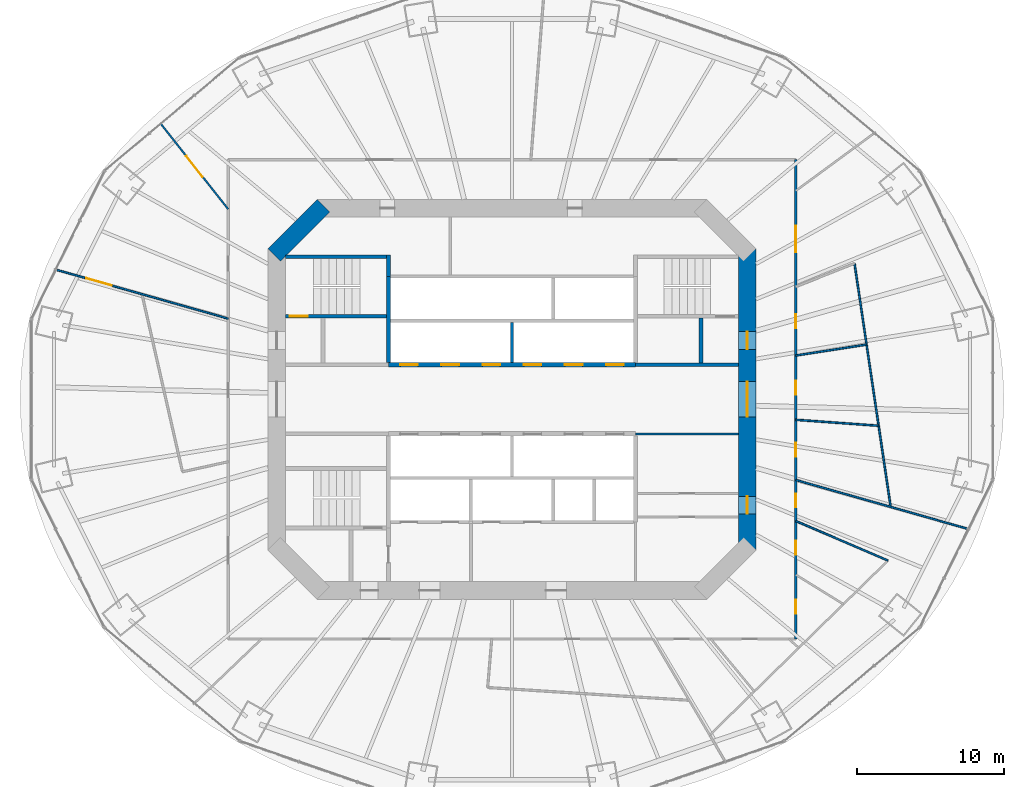
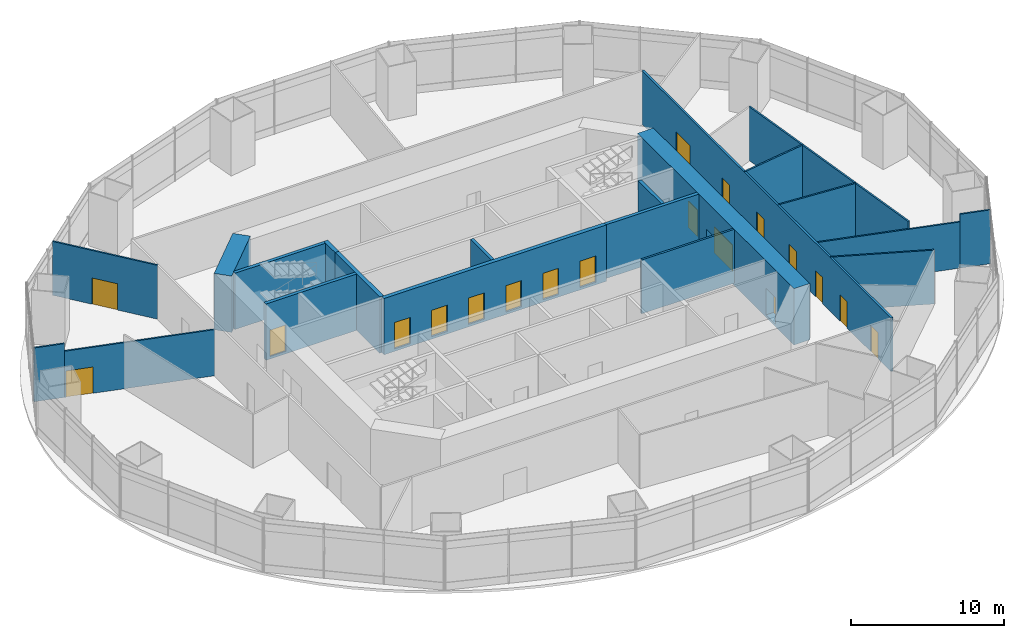
# One storey, part 15 of 17: 21 walls, 19 doors, 19 openings.
"""IFC4 building model written with IfcOpenShell, lengths in metres."""

from ifc_helpers import new_model, si_unit, direction, frame, frame_2d, origin, place, context, subcontext, project, spatial, rectangle, extrude, material, layer, layer_set, type_object, element, fill, save


model = new_model("IFC4")

# Units and contexts
model_context = context("Model", 3, precision=1e-05, world=origin(), true_north=direction((0.0, 1.0)))
body_context = subcontext(model_context, "Body", "Model", "MODEL_VIEW")
ifc_project = project(units=[si_unit("LENGTHUNIT", "METRE"), si_unit("AREAUNIT", "SQUARE_METRE"), si_unit("VOLUMEUNIT", "CUBIC_METRE"), si_unit("PLANEANGLEUNIT", "RADIAN"), si_unit("MASSUNIT", "GRAM", prefix="KILO")], contexts=[model_context])

# Site, building, storey
site_placement = place(None, origin())
site = spatial("IfcSite", under=ifc_project, at=site_placement, CompositionType="ELEMENT")
building_placement = place(site_placement, origin())
building = spatial("IfcBuilding", under=site, at=building_placement, Name="Marenthal Gate Tower", CompositionType="ELEMENT")
storey_placement = place(building_placement, frame((0.0, 0.0, 145.050048828125)))
storey = spatial("IfcBuildingStorey", under=building, at=storey_placement, Name="L31", CompositionType="ELEMENT", Elevation=145.050048828125)

# Wall, openings, doors
ifc_material_1 = material(Name="Concrete 60 MPa", Category="concrete")
ifc_layer_1 = layer(ifc_material_1, 1.199951171875)
ifc_layer_set_1 = layer_set([ifc_layer_1], Name="Core shear wall 1200")
wall_type_1 = type_object("IfcWallType", Name="Core shear wall 1200", PredefinedType="SHEAR", material=ifc_layer_set_1)
wall_1_placement = place(storey_placement, frame((16.0, -10.24853515625, -0.199951171875), z_axis=(0.0, 0.0, 1.0), x_axis=(0.0, 1.0, 0.0)))
wall_1 = element("IfcWall", 1, at=wall_1_placement, inside=storey, type_object=wall_type_1, Name="Core wall 02", PredefinedType="SHEAR", context=body_context, shape_type="SweptSolid", body=[
    extrude(rectangle(XDim=20.4970703125, YDim=1.199951171875, at=frame_2d((10.24853515625, 0.0))), origin(), (0.0, 0.0, 1.0), 4.5),
])
opening_1_placement = place(wall_1_placement, frame((9.048583984375, 0.0, 0.199951171875)))
opening_1 = element("IfcOpeningElement", 2, at=opening_1_placement, cuts=wall_1, Name="Opening D003.02", PredefinedType="OPENING", context=body_context, shape_type="SweptSolid", body=[
    extrude(rectangle(XDim=2.39990234375, YDim=2.10009765625, at=frame_2d((1.199951171875, 1.050048828125))), frame((0.0, 0.60986328125, 0.0), z_axis=(0.0, -1.0, 0.0), x_axis=(1.0, 0.0, 0.0)), (0.0, 0.0, 1.0), 1.219970703125),
])
opening_2_placement = place(wall_1_placement, frame((13.6484375, 0.0, 0.199951171875)))
opening_2 = element("IfcOpeningElement", 3, at=opening_2_placement, cuts=wall_1, Name="Opening D001.05", PredefinedType="OPENING", context=body_context, shape_type="SweptSolid", body=[
    extrude(rectangle(XDim=1.199951171875, YDim=2.10009765625, at=frame_2d((0.60009765625, 1.050048828125))), frame((0.0, 0.60986328125, 0.0), z_axis=(0.0, -1.0, 0.0), x_axis=(1.0, 0.0, 0.0)), (0.0, 0.0, 1.0), 1.219970703125),
])
opening_3_placement = place(wall_1_placement, frame((2.448486328125, 0.0, 0.199951171875)))
opening_3 = element("IfcOpeningElement", 4, at=opening_3_placement, cuts=wall_1, Name="Opening D006.01", PredefinedType="OPENING", context=body_context, shape_type="SweptSolid", body=[
    extrude(rectangle(XDim=1.199951171875, YDim=2.10009765625, at=frame_2d((0.60009765625, 1.050048828125))), frame((0.0, 0.60986328125, 0.0), z_axis=(0.0, -1.0, 0.0), x_axis=(1.0, 0.0, 0.0)), (0.0, 0.0, 1.0), 1.219970703125),
])
ifc_material_2 = material(Name="Steel fire door", Category="steel")
door_type_1 = type_object("IfcDoorType", Name="Double fire door FD 45 2400 x 2100", OperationType="DOUBLE_DOOR_SINGLE_SWING", PredefinedType="DOOR", material=ifc_material_2)
door_1_placement = place(opening_1_placement, origin())
door_1 = element("IfcDoor", 5, at=door_1_placement, inside=storey, type_object=door_type_1, Name="Door D003.02", OperationType="DOUBLE_DOOR_SINGLE_SWING", OverallHeight=2.10009765625, OverallWidth=2.39990234375, PredefinedType="DOOR", context=body_context, shape_type="SweptSolid", body=[
    extrude(rectangle(XDim=2.39990234375, YDim=2.10009765625, at=frame_2d((1.199951171875, 1.050048828125))), frame((0.0, 0.02490234375, 0.0), z_axis=(0.0, -1.0, 0.0), x_axis=(1.0, 0.0, 0.0)), (0.0, 0.0, 1.0), 0.050048828125),
])
fill(opening_1, door_1)
ifc_material_3 = material(Name="Steel fire door", Category="steel")
door_type_2 = type_object("IfcDoorType", Name="Fire door FD 45 1200 x 2100", OperationType="NOTDEFINED", PredefinedType="DOOR", material=ifc_material_3)
door_2_placement = place(opening_3_placement, origin())
door_2 = element("IfcDoor", 6, at=door_2_placement, inside=storey, type_object=door_type_2, Name="Door D006.01", OperationType="SINGLE_SWING_RIGHT", OverallHeight=2.10009765625, OverallWidth=1.199951171875, PredefinedType="DOOR", context=body_context, shape_type="SweptSolid", body=[
    extrude(rectangle(XDim=1.199951171875, YDim=2.10009765625, at=frame_2d((0.60009765625, 1.050048828125))), frame((0.0, 0.02490234375, 0.0), z_axis=(0.0, -1.0, 0.0), x_axis=(1.0, 0.0, 0.0)), (0.0, 0.0, 1.0), 0.050048828125),
])
fill(opening_3, door_2)
ifc_material_4 = material(Name="Steel fire door", Category="steel")
door_type_3 = type_object("IfcDoorType", Name="Fire door FD 90 1200 x 2100", OperationType="NOTDEFINED", PredefinedType="DOOR", material=ifc_material_4)
door_3_placement = place(opening_2_placement, origin())
door_3 = element("IfcDoor", 7, at=door_3_placement, inside=storey, type_object=door_type_3, Name="Door D001.05", OperationType="SINGLE_SWING_RIGHT", OverallHeight=2.10009765625, OverallWidth=1.199951171875, PredefinedType="DOOR", context=body_context, shape_type="SweptSolid", body=[
    extrude(rectangle(XDim=1.199951171875, YDim=2.10009765625, at=frame_2d((0.60009765625, 1.050048828125))), frame((0.0, 0.02490234375, 0.0), z_axis=(0.0, -1.0, 0.0), x_axis=(1.0, 0.0, 0.0)), (0.0, 0.0, 1.0), 0.050048828125),
])
fill(opening_2, door_3)

# Wall
wall_2_placement = place(storey_placement, frame((-12.82421875, 13.17578125, -0.199951171875), z_axis=(0.0, 0.0, 1.0), x_axis=(-0.707106781187, -0.707106781187, 0.0)))
element("IfcWall", 8, at=wall_2_placement, inside=storey, type_object=wall_type_1, Name="Core wall 05", PredefinedType="SHEAR", context=body_context, shape_type="SweptSolid", body=[
    extrude(rectangle(XDim=4.73974609375, YDim=1.199951171875, at=frame_2d((2.369873046875, 0.0))), origin(), (0.0, 0.0, 1.0), 4.5),
])

# Wall, openings, doors
ifc_material_5 = material(Name="Concrete 50 MPa", Category="concrete")
ifc_layer_2 = layer(ifc_material_5, 0.300048828125)
ifc_layer_set_2 = layer_set([ifc_layer_2], Name="Hoistway shear wall 300")
wall_type_2 = type_object("IfcWallType", Name="Hoistway shear wall 300", PredefinedType="SHEAR", material=ifc_layer_set_2)
wall_3_placement = place(storey_placement, frame((-8.39990234375, 2.35009765625, -0.199951171875), z_axis=(0.0, 0.0, 1.0), x_axis=(1.0, 0.0, 0.0)))
wall_3 = element("IfcWall", 9, at=wall_3_placement, inside=storey, type_object=wall_type_2, Name="Hoistway wall 20", PredefinedType="SHEAR", context=body_context, shape_type="SweptSolid", body=[
    extrude(rectangle(XDim=16.7998046875, YDim=0.300048828125, at=frame_2d((8.39990234375, 0.0))), origin(), (0.0, 0.0, 1.0), 4.5),
])
opening_4_placement = place(wall_3_placement, frame((0.800048828125, 0.0, 0.199951171875)))
opening_4 = element("IfcOpeningElement", 10, at=opening_4_placement, cuts=wall_3, Name="Opening LD-LP1", PredefinedType="OPENING", context=body_context, shape_type="SweptSolid", body=[
    extrude(rectangle(XDim=1.199951171875, YDim=2.10009765625, at=frame_2d((0.60009765625, 1.050048828125))), frame((0.0, 0.16015625, 0.0), z_axis=(0.0, -1.0, 0.0), x_axis=(1.0, 0.0, 0.0)), (0.0, 0.0, 1.0), 0.320068359375),
])
opening_5_placement = place(wall_3_placement, frame((3.60009765625, 0.0, 0.199951171875)))
opening_5 = element("IfcOpeningElement", 11, at=opening_5_placement, cuts=wall_3, Name="Opening LD-LP2", PredefinedType="OPENING", context=body_context, shape_type="SweptSolid", body=[
    extrude(rectangle(XDim=1.199951171875, YDim=2.10009765625, at=frame_2d((0.60009765625, 1.050048828125))), frame((0.0, 0.16015625, 0.0), z_axis=(0.0, -1.0, 0.0), x_axis=(1.0, 0.0, 0.0)), (0.0, 0.0, 1.0), 0.320068359375),
])
opening_6_placement = place(wall_3_placement, frame((6.39990234375, 0.0, 0.199951171875)))
opening_6 = element("IfcOpeningElement", 12, at=opening_6_placement, cuts=wall_3, Name="Opening LD-LP3", PredefinedType="OPENING", context=body_context, shape_type="SweptSolid", body=[
    extrude(rectangle(XDim=1.199951171875, YDim=2.10009765625, at=frame_2d((0.60009765625, 1.050048828125))), frame((0.0, 0.16015625, 0.0), z_axis=(0.0, -1.0, 0.0), x_axis=(1.0, 0.0, 0.0)), (0.0, 0.0, 1.0), 0.320068359375),
])
opening_7_placement = place(wall_3_placement, frame((9.199951171875, 0.0, 0.199951171875)))
opening_7 = element("IfcOpeningElement", 13, at=opening_7_placement, cuts=wall_3, Name="Opening LD-LP4", PredefinedType="OPENING", context=body_context, shape_type="SweptSolid", body=[
    extrude(rectangle(XDim=1.199951171875, YDim=2.10009765625, at=frame_2d((0.60009765625, 1.050048828125))), frame((0.0, 0.16015625, 0.0), z_axis=(0.0, -1.0, 0.0), x_axis=(1.0, 0.0, 0.0)), (0.0, 0.0, 1.0), 0.320068359375),
])
opening_8_placement = place(wall_3_placement, frame((12.0, 0.0, 0.199951171875)))
opening_8 = element("IfcOpeningElement", 14, at=opening_8_placement, cuts=wall_3, Name="Opening LD-LP5", PredefinedType="OPENING", context=body_context, shape_type="SweptSolid", body=[
    extrude(rectangle(XDim=1.199951171875, YDim=2.10009765625, at=frame_2d((0.60009765625, 1.050048828125))), frame((0.0, 0.16015625, 0.0), z_axis=(0.0, -1.0, 0.0), x_axis=(1.0, 0.0, 0.0)), (0.0, 0.0, 1.0), 0.320068359375),
])
opening_9_placement = place(wall_3_placement, frame((14.800048828125, 0.0, 0.199951171875)))
opening_9 = element("IfcOpeningElement", 15, at=opening_9_placement, cuts=wall_3, Name="Opening LD-LP6", PredefinedType="OPENING", context=body_context, shape_type="SweptSolid", body=[
    extrude(rectangle(XDim=1.199951171875, YDim=2.10009765625, at=frame_2d((0.60009765625, 1.050048828125))), frame((0.0, 0.16015625, 0.0), z_axis=(0.0, -1.0, 0.0), x_axis=(1.0, 0.0, 0.0)), (0.0, 0.0, 1.0), 0.320068359375),
])
ifc_material_6 = material(Name="Stainless steel sliding door", Category="steel")
door_type_4 = type_object("IfcDoorType", Name="Lift landing door FD 90 1200 x 2100", OperationType="DOUBLE_DOOR_SLIDING", PredefinedType="DOOR", material=ifc_material_6)
door_4_placement = place(opening_4_placement, origin())
door_4 = element("IfcDoor", 16, at=door_4_placement, inside=storey, type_object=door_type_4, Name="Lift landing door LP1", OperationType="DOUBLE_DOOR_SLIDING", OverallHeight=2.10009765625, OverallWidth=1.199951171875, PredefinedType="DOOR", context=body_context, shape_type="SweptSolid", body=[
    extrude(rectangle(XDim=1.199951171875, YDim=2.10009765625, at=frame_2d((0.60009765625, 1.050048828125))), frame((0.0, 0.02490234375, 0.0), z_axis=(0.0, -1.0, 0.0), x_axis=(1.0, 0.0, 0.0)), (0.0, 0.0, 1.0), 0.050048828125),
])
fill(opening_4, door_4)
door_5_placement = place(opening_5_placement, origin())
door_5 = element("IfcDoor", 17, at=door_5_placement, inside=storey, type_object=door_type_4, Name="Lift landing door LP2", OperationType="DOUBLE_DOOR_SLIDING", OverallHeight=2.10009765625, OverallWidth=1.199951171875, PredefinedType="DOOR", context=body_context, shape_type="SweptSolid", body=[
    extrude(rectangle(XDim=1.199951171875, YDim=2.10009765625, at=frame_2d((0.60009765625, 1.050048828125))), frame((0.0, 0.02490234375, 0.0), z_axis=(0.0, -1.0, 0.0), x_axis=(1.0, 0.0, 0.0)), (0.0, 0.0, 1.0), 0.050048828125),
])
fill(opening_5, door_5)
door_6_placement = place(opening_6_placement, origin())
door_6 = element("IfcDoor", 18, at=door_6_placement, inside=storey, type_object=door_type_4, Name="Lift landing door LP3", OperationType="DOUBLE_DOOR_SLIDING", OverallHeight=2.10009765625, OverallWidth=1.199951171875, PredefinedType="DOOR", context=body_context, shape_type="SweptSolid", body=[
    extrude(rectangle(XDim=1.199951171875, YDim=2.10009765625, at=frame_2d((0.60009765625, 1.050048828125))), frame((0.0, 0.02490234375, 0.0), z_axis=(0.0, -1.0, 0.0), x_axis=(1.0, 0.0, 0.0)), (0.0, 0.0, 1.0), 0.050048828125),
])
fill(opening_6, door_6)
door_7_placement = place(opening_7_placement, origin())
door_7 = element("IfcDoor", 19, at=door_7_placement, inside=storey, type_object=door_type_4, Name="Lift landing door LP4", OperationType="DOUBLE_DOOR_SLIDING", OverallHeight=2.10009765625, OverallWidth=1.199951171875, PredefinedType="DOOR", context=body_context, shape_type="SweptSolid", body=[
    extrude(rectangle(XDim=1.199951171875, YDim=2.10009765625, at=frame_2d((0.60009765625, 1.050048828125))), frame((0.0, 0.02490234375, 0.0), z_axis=(0.0, -1.0, 0.0), x_axis=(1.0, 0.0, 0.0)), (0.0, 0.0, 1.0), 0.050048828125),
])
fill(opening_7, door_7)
door_8_placement = place(opening_8_placement, origin())
door_8 = element("IfcDoor", 20, at=door_8_placement, inside=storey, type_object=door_type_4, Name="Lift landing door LP5", OperationType="DOUBLE_DOOR_SLIDING", OverallHeight=2.10009765625, OverallWidth=1.199951171875, PredefinedType="DOOR", context=body_context, shape_type="SweptSolid", body=[
    extrude(rectangle(XDim=1.199951171875, YDim=2.10009765625, at=frame_2d((0.60009765625, 1.050048828125))), frame((0.0, 0.02490234375, 0.0), z_axis=(0.0, -1.0, 0.0), x_axis=(1.0, 0.0, 0.0)), (0.0, 0.0, 1.0), 0.050048828125),
])
fill(opening_8, door_8)
door_9_placement = place(opening_9_placement, origin())
door_9 = element("IfcDoor", 21, at=door_9_placement, inside=storey, type_object=door_type_4, Name="Lift landing door LP6", OperationType="DOUBLE_DOOR_SLIDING", OverallHeight=2.10009765625, OverallWidth=1.199951171875, PredefinedType="DOOR", context=body_context, shape_type="SweptSolid", body=[
    extrude(rectangle(XDim=1.199951171875, YDim=2.10009765625, at=frame_2d((0.60009765625, 1.050048828125))), frame((0.0, 0.02490234375, 0.0), z_axis=(0.0, -1.0, 0.0), x_axis=(1.0, 0.0, 0.0)), (0.0, 0.0, 1.0), 0.050048828125),
])
fill(opening_9, door_9)

# Walls
wall_4_placement = place(storey_placement, frame((-8.39990234375, 2.5, -0.199951171875), z_axis=(0.0, 0.0, 1.0), x_axis=(0.0, 1.0, 0.0)))
element("IfcWall", 22, at=wall_4_placement, inside=storey, type_object=wall_type_2, Name="Hoistway wall 32", PredefinedType="SHEAR", context=body_context, shape_type="SweptSolid", body=[
    extrude(rectangle(XDim=5.85009765625, YDim=0.300048828125, at=frame_2d((2.925048828125, 0.0))), origin(), (0.0, 0.0, 1.0), 4.5),
])
ifc_material_7 = material(Name="Concrete 40 MPa", Category="concrete")
ifc_layer_3 = layer(ifc_material_7, 0.219970703125)
ifc_layer_set_3 = layer_set([ifc_layer_3], Name="Hoistway wall 220")
wall_type_3 = type_object("IfcWallType", Name="Hoistway wall 220", PredefinedType="STANDARD", material=ifc_layer_set_3)
wall_5_placement = place(storey_placement, frame((0.0, 2.5, 0.0), z_axis=(0.0, 0.0, 1.0), x_axis=(0.0, 1.0, 0.0)))
element("IfcWall", 23, at=wall_5_placement, inside=storey, type_object=wall_type_3, Name="Hoistway wall 38", PredefinedType="STANDARD", context=body_context, shape_type="SweptSolid", body=[
    extrude(rectangle(XDim=2.739990234375, YDim=0.219970703125, at=frame_2d((1.3701171875, 0.0))), origin(), (0.0, 0.0, 1.0), 4.300048828125),
])

# Wall, opening, door
ifc_material_8 = material(Name="Gypsum board on steel studs", Category="steel")
ifc_layer_4 = layer(ifc_material_8, 0.1201171875)
ifc_layer_set_4 = layer_set([ifc_layer_4], Name="Partition 120")
wall_type_4 = type_object("IfcWallType", Name="Partition 120", PredefinedType="PARTITIONING", material=ifc_layer_set_4)
wall_6_placement = place(storey_placement, frame((-19.300048828125, 5.486083984375, 0.0), z_axis=(0.0, 0.0, 1.0), x_axis=(-0.961894512002, 0.273420825432, 0.0)))
wall_6 = element("IfcWall", 24, at=wall_6_placement, inside=storey, type_object=wall_type_4, Name="Partition wall 50", PredefinedType="PARTITIONING", context=body_context, shape_type="SweptSolid", body=[
    extrude(rectangle(XDim=10.144287109375, YDim=0.1201171875, at=frame_2d((5.072265625, 0.0))), origin(), (0.0, 0.0, 1.0), 3.68798828125),
])
opening_10_placement = place(wall_6_placement, frame((8.236083984375, 0.0, 0.0)))
opening_10 = element("IfcOpeningElement", 25, at=opening_10_placement, cuts=wall_6, Name="Opening D014.07", PredefinedType="OPENING", context=body_context, shape_type="SweptSolid", body=[
    extrude(rectangle(XDim=1.800048828125, YDim=2.10009765625, at=frame_2d((0.89990234375, 1.050048828125))), frame((0.0, 0.070068359375, 0.0), z_axis=(0.0, -1.0, 0.0), x_axis=(1.0, 0.0, 0.0)), (0.0, 0.0, 1.0), 0.14013671875),
])
ifc_material_9 = material(Name="Timber door", Category="wood")
door_type_5 = type_object("IfcDoorType", Name="Double door 1800 x 2100", OperationType="DOUBLE_DOOR_SINGLE_SWING", PredefinedType="DOOR", material=ifc_material_9)
door_10_placement = place(opening_10_placement, origin())
door_10 = element("IfcDoor", 26, at=door_10_placement, inside=storey, type_object=door_type_5, Name="Door D014.07", OperationType="DOUBLE_DOOR_SINGLE_SWING", OverallHeight=2.10009765625, OverallWidth=1.800048828125, PredefinedType="DOOR", context=body_context, shape_type="SweptSolid", body=[
    extrude(rectangle(XDim=1.800048828125, YDim=2.10009765625, at=frame_2d((0.89990234375, 1.050048828125))), frame((0.0, 0.02490234375, 0.0), z_axis=(0.0, -1.0, 0.0), x_axis=(1.0, 0.0, 0.0)), (0.0, 0.0, 1.0), 0.050048828125),
])
fill(opening_10, door_10)

# Walls
wall_7_placement = place(storey_placement, frame((-29.057861328125, 8.259765625, 0.0), z_axis=(0.0, 0.0, 1.0), x_axis=(-0.961885727632, 0.27345172696, 0.0)))
element("IfcWall", 27, at=wall_7_placement, inside=storey, type_object=wall_type_4, Name="Partition wall 71", PredefinedType="PARTITIONING", context=body_context, shape_type="SweptSolid", body=[
    extrude(rectangle(XDim=2.057861328125, YDim=0.1201171875, at=frame_2d((1.02880859375, 0.0))), origin(), (0.0, 0.0, 1.0), 4.300048828125),
])
wall_8_placement = place(storey_placement, frame((19.300048828125, -5.486083984375, 0.0), z_axis=(0.0, 0.0, 1.0), x_axis=(0.961894512002, -0.273420825432, 0.0)))
element("IfcWall", 28, at=wall_8_placement, inside=storey, type_object=wall_type_4, Name="Partition wall 60", PredefinedType="PARTITIONING", context=body_context, shape_type="SweptSolid", body=[
    extrude(rectangle(XDim=10.144287109375, YDim=0.1201171875, at=frame_2d((5.072265625, 0.0))), origin(), (0.0, 0.0, 1.0), 3.68798828125),
])
wall_9_placement = place(storey_placement, frame((29.057861328125, -8.259765625, 0.0), z_axis=(0.0, 0.0, 1.0), x_axis=(0.961885727632, -0.27345172696, 0.0)))
element("IfcWall", 29, at=wall_9_placement, inside=storey, type_object=wall_type_4, Name="Partition wall 73", PredefinedType="PARTITIONING", context=body_context, shape_type="SweptSolid", body=[
    extrude(rectangle(XDim=2.057861328125, YDim=0.1201171875, at=frame_2d((1.02880859375, 0.0))), origin(), (0.0, 0.0, 1.0), 4.300048828125),
])
wall_10_placement = place(storey_placement, frame((24.115966796875, 3.72119140625, 0.0), z_axis=(0.0, 0.0, 1.0), x_axis=(-0.988309639822, -0.152460013889, 0.0)))
element("IfcWall", 30, at=wall_10_placement, inside=storey, type_object=wall_type_4, Name="Partition wall 66", PredefinedType="PARTITIONING", context=body_context, shape_type="SweptSolid", body=[
    extrude(rectangle(XDim=4.872802734375, YDim=0.1201171875, at=frame_2d((2.4365234375, 0.0))), origin(), (0.0, 0.0, 1.0), 4.300048828125),
])
wall_11_placement = place(storey_placement, frame((24.935791015625, -1.7998046875, 0.0), z_axis=(0.0, 0.0, 1.0), x_axis=(-0.997405788814, 0.071983973495, 0.0)))
element("IfcWall", 31, at=wall_11_placement, inside=storey, type_object=wall_type_4, Name="Partition wall 67", PredefinedType="PARTITIONING", context=body_context, shape_type="SweptSolid", body=[
    extrude(rectangle(XDim=5.650390625, YDim=0.1201171875, at=frame_2d((2.8251953125, 0.0))), origin(), (0.0, 0.0, 1.0), 4.300048828125),
])
wall_12_placement = place(storey_placement, frame((25.5712890625, -10.9658203125, 0.0), z_axis=(0.0, 0.0, 1.0), x_axis=(-0.919063581566, 0.394109290729, 0.0)))
element("IfcWall", 32, at=wall_12_placement, inside=storey, type_object=wall_type_4, Name="Partition wall 68", PredefinedType="PARTITIONING", context=body_context, shape_type="SweptSolid", body=[
    extrude(rectangle(XDim=6.823486328125, YDim=0.1201171875, at=frame_2d((3.41162109375, 0.0))), origin(), (0.0, 0.0, 1.0), 4.300048828125),
])
wall_13_placement = place(storey_placement, frame((25.755615234375, -7.321044921875, 0.0), z_axis=(0.0, 0.0, 1.0), x_axis=(-0.146891581146, 0.989152598636, 0.0)))
element("IfcWall", 33, at=wall_13_placement, inside=storey, type_object=wall_type_4, Name="Partition wall 69", PredefinedType="PARTITIONING", context=body_context, shape_type="SweptSolid", body=[
    extrude(rectangle(XDim=16.7451171875, YDim=0.1201171875, at=frame_2d((8.37255859375, 0.0))), origin(), (0.0, 0.0, 1.0), 4.300048828125),
])

# Wall, opening, door
wall_14_placement = place(storey_placement, frame((-23.8916015625, 18.744384765625, 0.0), z_axis=(0.0, 0.0, 1.0), x_axis=(0.619647493385, -0.784880235413, 0.0)))
wall_14 = element("IfcWall", 34, at=wall_14_placement, inside=storey, type_object=wall_type_4, Name="Partition wall 70", PredefinedType="PARTITIONING", context=body_context, shape_type="SweptSolid", body=[
    extrude(rectangle(XDim=7.409912109375, YDim=0.1201171875, at=frame_2d((3.705078125, 0.0))), origin(), (0.0, 0.0, 1.0), 4.300048828125),
])
opening_11_placement = place(wall_14_placement, frame((2.804931640625, 0.0, 0.0)))
opening_11 = element("IfcOpeningElement", 35, at=opening_11_placement, cuts=wall_14, Name="Opening D014.06", PredefinedType="OPENING", context=body_context, shape_type="SweptSolid", body=[
    extrude(rectangle(XDim=1.800048828125, YDim=2.10009765625, at=frame_2d((0.89990234375, 1.050048828125))), frame((0.0, 0.070068359375, 0.0), z_axis=(0.0, -1.0, 0.0), x_axis=(1.0, 0.0, 0.0)), (0.0, 0.0, 1.0), 0.14013671875),
])
door_11_placement = place(opening_11_placement, origin())
door_11 = element("IfcDoor", 36, at=door_11_placement, inside=storey, type_object=door_type_5, Name="Door D014.06", OperationType="DOUBLE_DOOR_SINGLE_SWING", OverallHeight=2.10009765625, OverallWidth=1.800048828125, PredefinedType="DOOR", context=body_context, shape_type="SweptSolid", body=[
    extrude(rectangle(XDim=1.800048828125, YDim=2.10009765625, at=frame_2d((0.89990234375, 1.050048828125))), frame((0.0, 0.02490234375, 0.0), z_axis=(0.0, -1.0, 0.0), x_axis=(1.0, 0.0, 0.0)), (0.0, 0.0, 1.0), 0.050048828125),
])
fill(opening_11, door_11)

# Wall
ifc_material_10 = material(Name="Gypsum board on steel studs", Category="steel")
ifc_layer_5 = layer(ifc_material_10, 0.14990234375)
ifc_layer_set_5 = layer_set([ifc_layer_5], Name="Partition 150")
wall_type_5 = type_object("IfcWallType", Name="Partition 150", PredefinedType="PARTITIONING", material=ifc_layer_set_5)
wall_15_placement = place(storey_placement, frame((8.39990234375, -2.35009765625, 0.0), z_axis=(0.0, 0.0, 1.0), x_axis=(1.0, 0.0, 0.0)))
element("IfcWall", 37, at=wall_15_placement, inside=storey, type_object=wall_type_5, Name="Partition wall 18", PredefinedType="PARTITIONING", context=body_context, shape_type="SweptSolid", body=[
    extrude(rectangle(XDim=7.0, YDim=0.14990234375, at=frame_2d((3.5, 0.0))), origin(), (0.0, 0.0, 1.0), 4.300048828125),
])

# Wall, openings, doors
wall_16_placement = place(storey_placement, frame((19.300048828125, 16.300048828125, 0.0), z_axis=(0.0, 0.0, 1.0), x_axis=(0.0, -1.0, 0.0)))
wall_16 = element("IfcWall", 38, at=wall_16_placement, inside=storey, type_object=wall_type_5, Name="Partition wall 62", PredefinedType="PARTITIONING", context=body_context, shape_type="SweptSolid", body=[
    extrude(rectangle(XDim=32.60009765625, YDim=0.14990234375, at=frame_2d((16.300048828125, 0.0))), origin(), (0.0, 0.0, 1.0), 4.300048828125),
])
opening_12_placement = place(wall_16_placement, frame((29.94091796875, 0.0, 0.0)))
opening_12 = element("IfcOpeningElement", 39, at=opening_12_placement, cuts=wall_16, Name="Opening D016.05", PredefinedType="OPENING", context=body_context, shape_type="SweptSolid", body=[
    extrude(rectangle(XDim=0.949951171875, YDim=2.10009765625, at=frame_2d((0.47509765625, 1.050048828125))), frame((0.0, 0.0849609375, 0.0), z_axis=(0.0, -1.0, 0.0), x_axis=(1.0, 0.0, 0.0)), (0.0, 0.0, 1.0), 0.169921875),
])
opening_13_placement = place(wall_16_placement, frame((25.928955078125, 0.0, 0.0)))
opening_13 = element("IfcOpeningElement", 40, at=opening_13_placement, cuts=wall_16, Name="Opening D016.06", PredefinedType="OPENING", context=body_context, shape_type="SweptSolid", body=[
    extrude(rectangle(XDim=0.949951171875, YDim=2.10009765625, at=frame_2d((0.47509765625, 1.050048828125))), frame((0.0, 0.0849609375, 0.0), z_axis=(0.0, -1.0, 0.0), x_axis=(1.0, 0.0, 0.0)), (0.0, 0.0, 1.0), 0.169921875),
])
opening_14_placement = place(wall_16_placement, frame((22.7060546875, 0.0, 0.0)))
opening_14 = element("IfcOpeningElement", 41, at=opening_14_placement, cuts=wall_16, Name="Opening D016.07", PredefinedType="OPENING", context=body_context, shape_type="SweptSolid", body=[
    extrude(rectangle(XDim=0.949951171875, YDim=2.10009765625, at=frame_2d((0.47509765625, 1.050048828125))), frame((0.0, 0.0849609375, 0.0), z_axis=(0.0, -1.0, 0.0), x_axis=(1.0, 0.0, 0.0)), (0.0, 0.0, 1.0), 0.169921875),
])
opening_15_placement = place(wall_16_placement, frame((19.264892578125, 0.0, 0.0)))
opening_15 = element("IfcOpeningElement", 42, at=opening_15_placement, cuts=wall_16, Name="Opening D016.08", PredefinedType="OPENING", context=body_context, shape_type="SweptSolid", body=[
    extrude(rectangle(XDim=0.949951171875, YDim=2.10009765625, at=frame_2d((0.47509765625, 1.050048828125))), frame((0.0, 0.0849609375, 0.0), z_axis=(0.0, -1.0, 0.0), x_axis=(1.0, 0.0, 0.0)), (0.0, 0.0, 1.0), 0.169921875),
])
opening_16_placement = place(wall_16_placement, frame((15.032958984375, 0.0, 0.0)))
opening_16 = element("IfcOpeningElement", 43, at=opening_16_placement, cuts=wall_16, Name="Opening D016.09", PredefinedType="OPENING", context=body_context, shape_type="SweptSolid", body=[
    extrude(rectangle(XDim=0.949951171875, YDim=2.10009765625, at=frame_2d((0.47509765625, 1.050048828125))), frame((0.0, 0.0849609375, 0.0), z_axis=(0.0, -1.0, 0.0), x_axis=(1.0, 0.0, 0.0)), (0.0, 0.0, 1.0), 0.169921875),
])
opening_17_placement = place(wall_16_placement, frame((10.508056640625, 0.0, 0.0)))
opening_17 = element("IfcOpeningElement", 44, at=opening_17_placement, cuts=wall_16, Name="Opening D016.10", PredefinedType="OPENING", context=body_context, shape_type="SweptSolid", body=[
    extrude(rectangle(XDim=0.949951171875, YDim=2.10009765625, at=frame_2d((0.47509765625, 1.050048828125))), frame((0.0, 0.0849609375, 0.0), z_axis=(0.0, -1.0, 0.0), x_axis=(1.0, 0.0, 0.0)), (0.0, 0.0, 1.0), 0.169921875),
])
opening_18_placement = place(wall_16_placement, frame((4.48193359375, 0.0, 0.0)))
opening_18 = element("IfcOpeningElement", 45, at=opening_18_placement, cuts=wall_16, Name="Opening D014.05", PredefinedType="OPENING", context=body_context, shape_type="SweptSolid", body=[
    extrude(rectangle(XDim=1.800048828125, YDim=2.10009765625, at=frame_2d((0.89990234375, 1.050048828125))), frame((0.0, 0.0849609375, 0.0), z_axis=(0.0, -1.0, 0.0), x_axis=(1.0, 0.0, 0.0)), (0.0, 0.0, 1.0), 0.169921875),
])
ifc_material_11 = material(Name="Timber door", Category="wood")
door_type_6 = type_object("IfcDoorType", Name="Door 950 x 2100", OperationType="NOTDEFINED", PredefinedType="DOOR", material=ifc_material_11)
door_12_placement = place(opening_12_placement, origin())
door_12 = element("IfcDoor", 46, at=door_12_placement, inside=storey, type_object=door_type_6, Name="Door D016.05", OperationType="SINGLE_SWING_RIGHT", OverallHeight=2.10009765625, OverallWidth=0.949951171875, PredefinedType="DOOR", context=body_context, shape_type="SweptSolid", body=[
    extrude(rectangle(XDim=0.949951171875, YDim=2.10009765625, at=frame_2d((0.47509765625, 1.050048828125))), frame((0.0, 0.02490234375, 0.0), z_axis=(0.0, -1.0, 0.0), x_axis=(1.0, 0.0, 0.0)), (0.0, 0.0, 1.0), 0.050048828125),
])
fill(opening_12, door_12)
door_13_placement = place(opening_13_placement, origin())
door_13 = element("IfcDoor", 47, at=door_13_placement, inside=storey, type_object=door_type_6, Name="Door D016.06", OperationType="SINGLE_SWING_RIGHT", OverallHeight=2.10009765625, OverallWidth=0.949951171875, PredefinedType="DOOR", context=body_context, shape_type="SweptSolid", body=[
    extrude(rectangle(XDim=0.949951171875, YDim=2.10009765625, at=frame_2d((0.47509765625, 1.050048828125))), frame((0.0, 0.02490234375, 0.0), z_axis=(0.0, -1.0, 0.0), x_axis=(1.0, 0.0, 0.0)), (0.0, 0.0, 1.0), 0.050048828125),
])
fill(opening_13, door_13)
door_14_placement = place(opening_14_placement, origin())
door_14 = element("IfcDoor", 48, at=door_14_placement, inside=storey, type_object=door_type_6, Name="Door D016.07", OperationType="SINGLE_SWING_RIGHT", OverallHeight=2.10009765625, OverallWidth=0.949951171875, PredefinedType="DOOR", context=body_context, shape_type="SweptSolid", body=[
    extrude(rectangle(XDim=0.949951171875, YDim=2.10009765625, at=frame_2d((0.47509765625, 1.050048828125))), frame((0.0, 0.02490234375, 0.0), z_axis=(0.0, -1.0, 0.0), x_axis=(1.0, 0.0, 0.0)), (0.0, 0.0, 1.0), 0.050048828125),
])
fill(opening_14, door_14)
door_15_placement = place(opening_15_placement, origin())
door_15 = element("IfcDoor", 49, at=door_15_placement, inside=storey, type_object=door_type_6, Name="Door D016.08", OperationType="SINGLE_SWING_RIGHT", OverallHeight=2.10009765625, OverallWidth=0.949951171875, PredefinedType="DOOR", context=body_context, shape_type="SweptSolid", body=[
    extrude(rectangle(XDim=0.949951171875, YDim=2.10009765625, at=frame_2d((0.47509765625, 1.050048828125))), frame((0.0, 0.02490234375, 0.0), z_axis=(0.0, -1.0, 0.0), x_axis=(1.0, 0.0, 0.0)), (0.0, 0.0, 1.0), 0.050048828125),
])
fill(opening_15, door_15)
door_16_placement = place(opening_16_placement, origin())
door_16 = element("IfcDoor", 50, at=door_16_placement, inside=storey, type_object=door_type_6, Name="Door D016.09", OperationType="SINGLE_SWING_RIGHT", OverallHeight=2.10009765625, OverallWidth=0.949951171875, PredefinedType="DOOR", context=body_context, shape_type="SweptSolid", body=[
    extrude(rectangle(XDim=0.949951171875, YDim=2.10009765625, at=frame_2d((0.47509765625, 1.050048828125))), frame((0.0, 0.02490234375, 0.0), z_axis=(0.0, -1.0, 0.0), x_axis=(1.0, 0.0, 0.0)), (0.0, 0.0, 1.0), 0.050048828125),
])
fill(opening_16, door_16)
door_17_placement = place(opening_17_placement, origin())
door_17 = element("IfcDoor", 51, at=door_17_placement, inside=storey, type_object=door_type_6, Name="Door D016.10", OperationType="SINGLE_SWING_RIGHT", OverallHeight=2.10009765625, OverallWidth=0.949951171875, PredefinedType="DOOR", context=body_context, shape_type="SweptSolid", body=[
    extrude(rectangle(XDim=0.949951171875, YDim=2.10009765625, at=frame_2d((0.47509765625, 1.050048828125))), frame((0.0, 0.02490234375, 0.0), z_axis=(0.0, -1.0, 0.0), x_axis=(1.0, 0.0, 0.0)), (0.0, 0.0, 1.0), 0.050048828125),
])
fill(opening_17, door_17)
door_18_placement = place(opening_18_placement, origin())
door_18 = element("IfcDoor", 52, at=door_18_placement, inside=storey, type_object=door_type_5, Name="Door D014.05", OperationType="DOUBLE_DOOR_SINGLE_SWING", OverallHeight=2.10009765625, OverallWidth=1.800048828125, PredefinedType="DOOR", context=body_context, shape_type="SweptSolid", body=[
    extrude(rectangle(XDim=1.800048828125, YDim=2.10009765625, at=frame_2d((0.89990234375, 1.050048828125))), frame((0.0, 0.02490234375, 0.0), z_axis=(0.0, -1.0, 0.0), x_axis=(1.0, 0.0, 0.0)), (0.0, 0.0, 1.0), 0.050048828125),
])
fill(opening_18, door_18)

# Walls
ifc_material_12 = material(Name="Concrete 40 MPa", Category="concrete")
ifc_layer_6 = layer(ifc_material_12, 0.25)
ifc_layer_set_6 = layer_set([ifc_layer_6], Name="Stair enclosure wall 250")
wall_type_6 = type_object("IfcWallType", Name="Stair enclosure wall 250", PredefinedType="STANDARD", material=ifc_layer_set_6)
wall_17_placement = place(storey_placement, frame((8.39990234375, 2.35009765625, 0.0), z_axis=(0.0, 0.0, 1.0), x_axis=(1.0, 0.0, 0.0)))
element("IfcWall", 53, at=wall_17_placement, inside=storey, type_object=wall_type_6, Name="Stair wall 21", PredefinedType="STANDARD", context=body_context, shape_type="SweptSolid", body=[
    extrude(rectangle(XDim=7.0, YDim=0.25, at=frame_2d((3.5, 0.0))), origin(), (0.0, 0.0, 1.0), 4.300048828125),
])
wall_18_placement = place(storey_placement, frame((12.85009765625, 2.47509765625, 0.0), z_axis=(0.0, 0.0, 1.0), x_axis=(0.0, 1.0, 0.0)))
element("IfcWall", 54, at=wall_18_placement, inside=storey, type_object=wall_type_6, Name="Stair wall 46", PredefinedType="STANDARD", context=body_context, shape_type="SweptSolid", body=[
    extrude(rectangle(XDim=3.0498046875, YDim=0.25, at=frame_2d((1.52490234375, 0.0))), origin(), (0.0, 0.0, 1.0), 4.300048828125),
])

# Wall, opening, door
ifc_material_13 = material(Name="Concrete 50 MPa", Category="concrete")
ifc_layer_7 = layer(ifc_material_13, 0.25)
ifc_layer_set_7 = layer_set([ifc_layer_7], Name="Stair shear wall 250")
wall_type_7 = type_object("IfcWallType", Name="Stair shear wall 250", PredefinedType="SHEAR", material=ifc_layer_set_7)
wall_19_placement = place(storey_placement, frame((-15.39990234375, 5.64990234375, -0.199951171875), z_axis=(0.0, 0.0, 1.0), x_axis=(1.0, 0.0, 0.0)))
wall_19 = element("IfcWall", 55, at=wall_19_placement, inside=storey, type_object=wall_type_7, Name="Stair wall 23", PredefinedType="SHEAR", context=body_context, shape_type="SweptSolid", body=[
    extrude(rectangle(XDim=6.849853515625, YDim=0.25, at=frame_2d((3.4248046875, 0.0))), origin(), (0.0, 0.0, 1.0), 4.5),
])
opening_19_placement = place(wall_19_placement, frame((0.300048828125, 0.0, 0.199951171875)))
opening_19 = element("IfcOpeningElement", 56, at=opening_19_placement, cuts=wall_19, Name="Opening D001.01", PredefinedType="OPENING", context=body_context, shape_type="SweptSolid", body=[
    extrude(rectangle(XDim=1.199951171875, YDim=2.10009765625, at=frame_2d((0.60009765625, 1.050048828125))), frame((0.0, 0.135009765625, 0.0), z_axis=(0.0, -1.0, 0.0), x_axis=(1.0, 0.0, 0.0)), (0.0, 0.0, 1.0), 0.27001953125),
])
door_19_placement = place(opening_19_placement, origin())
door_19 = element("IfcDoor", 57, at=door_19_placement, inside=storey, type_object=door_type_3, Name="Door D001.01", OperationType="SINGLE_SWING_RIGHT", OverallHeight=2.10009765625, OverallWidth=1.199951171875, PredefinedType="DOOR", context=body_context, shape_type="SweptSolid", body=[
    extrude(rectangle(XDim=1.199951171875, YDim=2.10009765625, at=frame_2d((0.60009765625, 1.050048828125))), frame((0.0, 0.02490234375, 0.0), z_axis=(0.0, -1.0, 0.0), x_axis=(1.0, 0.0, 0.0)), (0.0, 0.0, 1.0), 0.050048828125),
])
fill(opening_19, door_19)

# Walls
wall_20_placement = place(storey_placement, frame((-15.39990234375, 9.699951171875, -0.199951171875), z_axis=(0.0, 0.0, 1.0), x_axis=(1.0, 0.0, 0.0)))
element("IfcWall", 58, at=wall_20_placement, inside=storey, type_object=wall_type_7, Name="Stair wall 26", PredefinedType="SHEAR", context=body_context, shape_type="SweptSolid", body=[
    extrude(rectangle(XDim=6.849853515625, YDim=0.25, at=frame_2d((3.4248046875, 0.0))), origin(), (0.0, 0.0, 1.0), 4.5),
])
ifc_material_14 = material(Name="Concrete 50 MPa", Category="concrete")
ifc_layer_8 = layer(ifc_material_14, 0.300048828125)
ifc_layer_set_8 = layer_set([ifc_layer_8], Name="Stair shear wall 300")
wall_type_8 = type_object("IfcWallType", Name="Stair shear wall 300", PredefinedType="SHEAR", material=ifc_layer_set_8)
wall_21_placement = place(storey_placement, frame((-8.39990234375, 8.35009765625, -0.199951171875), z_axis=(0.0, 0.0, 1.0), x_axis=(0.0, 1.0, 0.0)))
element("IfcWall", 59, at=wall_21_placement, inside=storey, type_object=wall_type_8, Name="Stair wall 33", PredefinedType="SHEAR", context=body_context, shape_type="SweptSolid", body=[
    extrude(rectangle(XDim=1.474853515625, YDim=0.300048828125, at=frame_2d((0.7373046875, 0.0))), origin(), (0.0, 0.0, 1.0), 4.5),
])

save(model, "model.ifc")
